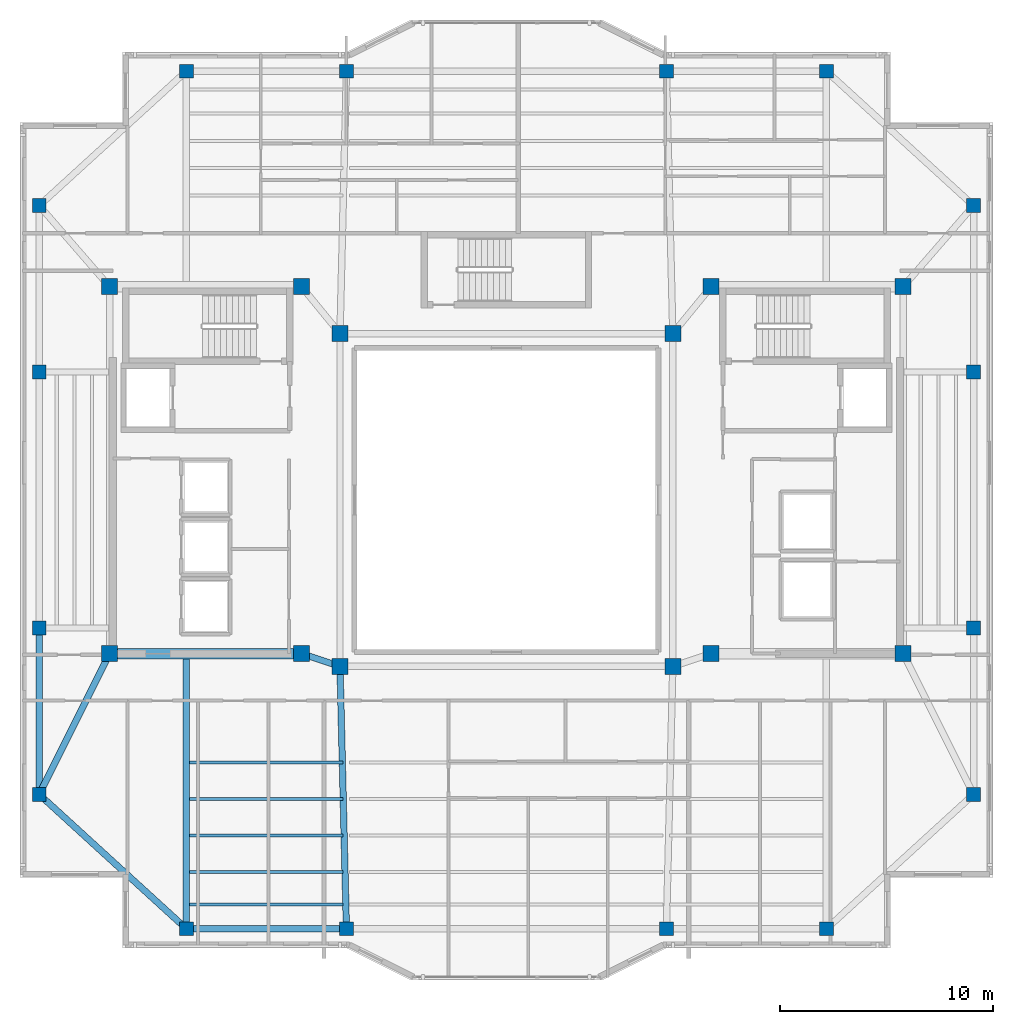
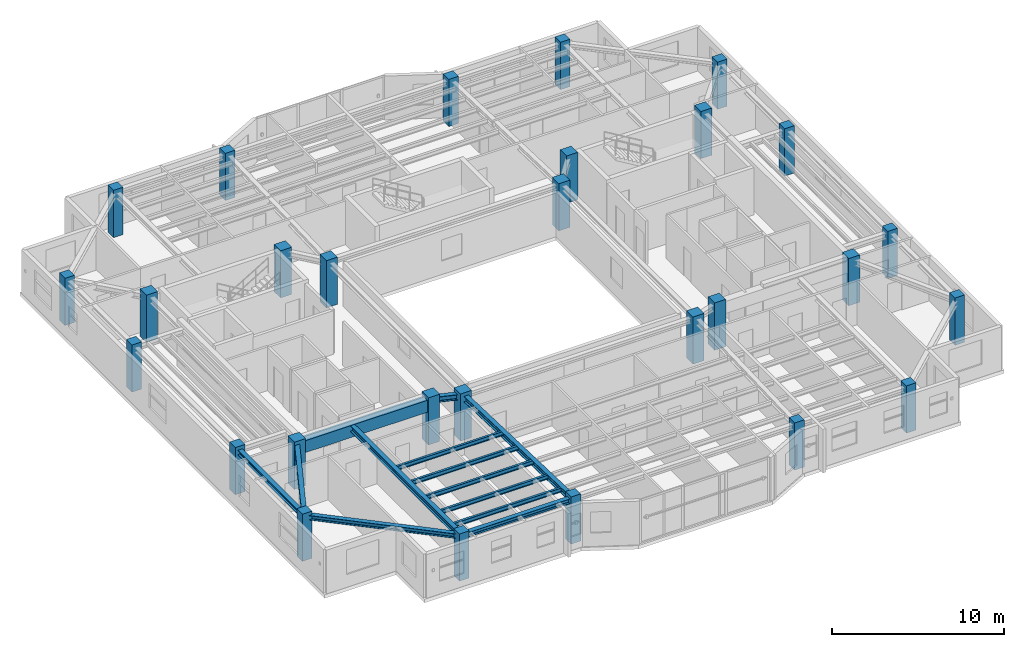
# One storey, part 1 of 13: 28 columns, 13 beams.
"""IFC4 building model written with IfcOpenShell, lengths in metres."""

import ifcopenshell
import ifcopenshell.guid

model = None  # the IFC model being written
_history = None  # IfcOwnerHistory: only IFC2X3 demands one
_inside = {}  # id of a spatial element -> (the spatial element, [elements in it])
_under = {}  # id of a project, library or spatial element -> (it, [spatial elements below it])
_declared = {}  # id of a project -> (the project, [libraries it declares])
_typed = {}  # id of a type object -> (the type object, [elements of that type])
_made_of = {}  # id of a material, layer set ... -> (it, [elements and type objects made of it])


def new_model(schema):
    """Start an empty IFC model of exactly this schema.

    Asked for "IFC4X3", IfcOpenShell would pick the latest addendum, in which some entities
    have other attributes; the version numbers below select the first issue.
    IFC2X3 requires an IfcOwnerHistory on every rooted entity: one is made here for all.
    """
    global model, _history
    if schema == "IFC4X3":
        model = ifcopenshell.file(schema_version=(4, 3, 0, 0))
    else:
        model = ifcopenshell.file(schema=schema)
    _inside.clear()
    _under.clear()
    _declared.clear()
    _typed.clear()
    _made_of.clear()
    _history = None
    if model.schema == "IFC2X3":
        org = make("IfcOrganization", Name="unknown")
        user = make(
            "IfcPersonAndOrganization",
            ThePerson=make("IfcPerson", FamilyName="unknown"),
            TheOrganization=org,
        )
        app = make(
            "IfcApplication",
            ApplicationDeveloper=org,
            Version="unknown",
            ApplicationFullName="unknown",
            ApplicationIdentifier="unknown",
        )
        _history = make(
            "IfcOwnerHistory",
            OwningUser=user,
            OwningApplication=app,
            ChangeAction="ADDED",
            CreationDate=0,
        )
    return model


def make(cls, **values):
    """One entity of the class cls with the attributes given. An attribute that is None is left unset."""
    return model.create_entity(
        cls, **{name: value for name, value in values.items() if value is not None}
    )


def rooted(cls, **values):
    """An entity with a GlobalId (a new one), such as an element, a storey or a relation."""
    return make(cls, GlobalId=ifcopenshell.guid.new(), OwnerHistory=_history, **values)


def si_unit(unit_type, name, prefix=None):
    """IfcSIUnit, for example si_unit("LENGTHUNIT", "METRE", prefix="MILLI")."""
    return make("IfcSIUnit", UnitType=unit_type, Prefix=prefix, Name=name)


def assignment(units):
    """IfcUnitAssignment: the units of a project."""
    return None if units is None else make("IfcUnitAssignment", Units=units)


def point(xyz):
    """IfcCartesianPoint."""
    return None if xyz is None else make("IfcCartesianPoint", Coordinates=xyz)


def direction(xyz):
    """IfcDirection."""
    return None if xyz is None else make("IfcDirection", DirectionRatios=xyz)


def frame(location, z_axis=None, x_axis=None):
    """IfcAxis2Placement3D, a coordinate frame: its origin and axes. An axis left out is left unset."""
    return make(
        "IfcAxis2Placement3D",
        Location=point(location),
        Axis=direction(z_axis),
        RefDirection=direction(x_axis),
    )


def frame_2d(location, x_axis=None):
    """IfcAxis2Placement2D, a coordinate frame in the plane: its origin and x axis."""
    return make(
        "IfcAxis2Placement2D", Location=point(location), RefDirection=direction(x_axis)
    )


def origin():
    """The frame at (0, 0, 0) with its axes left unset."""
    return frame((0.0, 0.0, 0.0))


def origin_2d():
    """The frame at (0, 0) in the plane with its x axis left unset."""
    return frame_2d((0.0, 0.0))


def place(relative_to, where):
    """IfcLocalPlacement: puts the frame where relative to a parent placement (None: the world)."""
    return make(
        "IfcLocalPlacement", PlacementRelTo=relative_to, RelativePlacement=where
    )


def context(
    kind, dimensions, precision=None, world=None, true_north=None, identifier=None
):
    """IfcGeometricRepresentationContext, for example the 3D "Model" context."""
    return make(
        "IfcGeometricRepresentationContext",
        ContextIdentifier=identifier,
        ContextType=kind,
        CoordinateSpaceDimension=dimensions,
        Precision=precision,
        WorldCoordinateSystem=world,
        TrueNorth=true_north,
    )


def subcontext(parent, identifier, kind, view, scale=None):
    """IfcGeometricRepresentationSubContext, for example "Body" below "Model"."""
    return make(
        "IfcGeometricRepresentationSubContext",
        ContextIdentifier=identifier,
        ContextType=kind,
        ParentContext=parent,
        TargetScale=scale,
        TargetView=view,
    )


def project(units=None, contexts=None):
    """IfcProject with its units and contexts."""
    return rooted(
        "IfcProject",
        Name="project",
        RepresentationContexts=contexts,
        UnitsInContext=assignment(units),
    )


def spatial(cls, under=None, at=None, **own):
    """A site, building, storey or space (cls), placed at a placement, below another one or the project."""
    s = rooted(cls, ObjectPlacement=at, **own)
    if under is not None:
        _under.setdefault(under.id(), (under, []))[1].append(s)
    return s


def profile(cls, at=None, kind="AREA", **sizes):
    """A parametric profile (cls). Its sizes go by their IFC names, for example OverallWidth=200.0."""
    return make(cls, ProfileType=kind, Position=at, **sizes)


def rectangle(**sizes):
    """IfcRectangleProfileDef."""
    return profile("IfcRectangleProfileDef", **sizes)


def i_section(**sizes):
    """IfcIShapeProfileDef."""
    return profile("IfcIShapeProfileDef", **sizes)


def extrude(swept, where, along, depth):
    """IfcExtrudedAreaSolid: the profile swept, set in the frame where, extruded along a direction by depth."""
    return make(
        "IfcExtrudedAreaSolid",
        SweptArea=swept,
        Position=where,
        ExtrudedDirection=direction(along),
        Depth=depth,
    )


def shape(context_of_items, identifier, shape_type, items):
    """IfcShapeRepresentation: the items that make up one representation, for example the "Body"."""
    return make(
        "IfcShapeRepresentation",
        ContextOfItems=context_of_items,
        RepresentationIdentifier=identifier,
        RepresentationType=shape_type,
        Items=items,
    )


def material(Name=None, Category=None):
    """IfcMaterial."""
    return make("IfcMaterial", Name=Name, Category=Category)


def material_profile(
    of_material, cross_section, Name=None, Category=None, Priority=None
):
    """IfcMaterialProfile: a cross section and its material."""
    return make(
        "IfcMaterialProfile",
        Name=Name,
        Material=of_material,
        Profile=cross_section,
        Priority=Priority,
        Category=Category,
    )


def profile_set(profiles, Name=None, composite=None):
    """IfcMaterialProfileSet."""
    return make(
        "IfcMaterialProfileSet",
        Name=Name,
        MaterialProfiles=profiles,
        CompositeProfile=composite,
    )


def made_of(thing, what):
    """Note that an element or type object is made of a material, layer set ...; save() writes the relation."""
    if what is not None:
        _made_of.setdefault(what.id(), (what, []))[1].append(thing)
    return thing


def type_object(cls, material=None, **own):
    """A type object (cls), such as IfcWallType, which elements share."""
    return made_of(rooted(cls, **own), material)


def element(
    cls,
    number,
    at=None,
    inside=None,
    cuts=None,
    type_object=None,
    material=None,
    context=None,
    identifier="Body",
    shape_type=None,
    held_by="IfcProductDefinitionShape",
    body=None,
    shapes=None,
    **own,
):
    """One element of the class cls, such as IfcWall. Its Tag is "e" and its number.

    at: its placement. inside: the storey or other place that contains it. cuts: it is an
    opening in that element (IfcRelVoidsElement). A single representation is given by context,
    identifier, shape_type and body (its items); several are given by shapes. held_by: the class
    of the entity that holds the representations. save() writes the other relations.
    """
    e = rooted(cls, Tag="e%d" % number, ObjectPlacement=at, **own)
    if body is not None:
        shapes = [shape(context, identifier, shape_type, body)]
    if shapes is not None:
        e.Representation = make(held_by, Representations=shapes)
    if inside is not None:
        _inside.setdefault(inside.id(), (inside, []))[1].append(e)
    if cuts is not None:
        rooted(
            "IfcRelVoidsElement", RelatingBuildingElement=cuts, RelatedOpeningElement=e
        )
    if type_object is not None:
        _typed.setdefault(type_object.id(), (type_object, []))[1].append(e)
    return made_of(e, material)


def aggregate(whole, parts):
    """IfcRelAggregates: a whole, such as a stair, and the parts it consists of."""
    return rooted("IfcRelAggregates", RelatingObject=whole, RelatedObjects=parts)


def save(model, path):
    """Write the relations noted so far, then the file.

    IfcRelAggregates (storeys below a building ...), IfcRelContainedInSpatialStructure (elements
    in a storey), IfcRelDefinesByType, IfcRelAssociatesMaterial and IfcRelDeclares: one each for
    every whole, place, type object, material and project.
    """
    for whole, parts in _under.values():
        aggregate(whole, parts)
    for where, things in _inside.values():
        rooted(
            "IfcRelContainedInSpatialStructure",
            RelatedElements=things,
            RelatingStructure=where,
        )
    for kind, things in _typed.values():
        rooted("IfcRelDefinesByType", RelatedObjects=things, RelatingType=kind)
    for what, things in _made_of.values():
        rooted("IfcRelAssociatesMaterial", RelatedObjects=things, RelatingMaterial=what)
    for by, libraries in _declared.values():
        rooted("IfcRelDeclares", RelatingContext=by, RelatedDefinitions=libraries)
    model.write(path)


model = new_model("IFC4")

# Units and contexts
model_context = context("Model", 3, precision=1e-05, world=origin(), true_north=direction((0.0, 1.0)))
body_context = subcontext(model_context, "Body", "Model", "MODEL_VIEW")
ifc_project = project(units=[si_unit("LENGTHUNIT", "METRE"), si_unit("AREAUNIT", "SQUARE_METRE"), si_unit("VOLUMEUNIT", "CUBIC_METRE"), si_unit("PLANEANGLEUNIT", "RADIAN"), si_unit("MASSUNIT", "GRAM", prefix="KILO")], contexts=[model_context])

# Site, building, storey
site_placement = place(None, origin())
site = spatial("IfcSite", under=ifc_project, at=site_placement, CompositionType="ELEMENT")
building_placement = place(site_placement, origin())
building = spatial("IfcBuilding", under=site, at=building_placement, Name="Tarnavaz Court Tower", CompositionType="ELEMENT")
storey_placement = place(building_placement, frame((0.0, 0.0, 248.199951171875)))
storey = spatial("IfcBuildingStorey", under=building, at=storey_placement, Name="L67", CompositionType="ELEMENT", Elevation=248.199951171875)

# Columns
ifc_material_1 = material(Name="Concrete C50/60", Category="concrete")
ifc_material_profile_1 = material_profile(ifc_material_1, rectangle(XDim=0.64990234375, YDim=0.64990234375, at=origin_2d()), Name="RC 650X650")
ifc_profile_set_1 = profile_set([ifc_material_profile_1], Name="Concrete C50/60")
column_type_1 = type_object("IfcColumnType", Name="CL-RC650", PredefinedType="COLUMN", material=ifc_profile_set_1)
for number, where, z_axis, x_axis, name in (
    (1, (-15.0, 20.10009765625, 0.0), (0.0, 0.0, 1.0), (1.0, 0.0, 0.0), "L67 Column PN-1"),
    (2, (-7.5, 20.10009765625, 0.0), (0.0, 0.0, 1.0), (1.0, 0.0, 0.0), "L67 Column PN-2"),
    (3, (7.5, 20.10009765625, 0.0), (0.0, 0.0, 1.0), (1.0, 0.0, 0.0), "L67 Column PN-3"),
    (4, (15.0, 20.10009765625, 0.0), (0.0, 0.0, 1.0), (1.0, 0.0, 0.0), "L67 Column PN-4"),
    (5, (-15.0, -20.10009765625, 0.0), (0.0, 0.0, 1.0), (1.0, 0.0, 0.0), "L67 Column PS-1"),
    (6, (-7.5, -20.10009765625, 0.0), (0.0, 0.0, 1.0), (1.0, 0.0, 0.0), "L67 Column PS-2"),
    (7, (7.5, -20.10009765625, 0.0), (0.0, 0.0, 1.0), (1.0, 0.0, 0.0), "L67 Column PS-3"),
    (8, (15.0, -20.10009765625, 0.0), (0.0, 0.0, 1.0), (1.0, 0.0, 0.0), "L67 Column PS-4"),
    (9, (21.89990234375, -13.800048828125, 0.0), (0.0, 0.0, 1.0), (1.0, 0.0, 0.0), "L67 Column PE-1"),
    (10, (21.89990234375, -6.0, 0.0), (0.0, 0.0, 1.0), (1.0, 0.0, 0.0), "L67 Column PE-2"),
    (11, (21.89990234375, 6.0, 0.0), (0.0, 0.0, 1.0), (1.0, 0.0, 0.0), "L67 Column PE-3"),
    (12, (21.89990234375, 13.800048828125, 0.0), (0.0, 0.0, 1.0), (1.0, 0.0, 0.0), "L67 Column PE-4"),
    (13, (-21.89990234375, -13.800048828125, 0.0), (0.0, 0.0, 1.0), (1.0, 0.0, 0.0), "L67 Column PW-1"),
    (14, (-21.89990234375, -6.0, 0.0), (0.0, 0.0, 1.0), (1.0, 0.0, 0.0), "L67 Column PW-2"),
    (15, (-21.89990234375, 6.0, 0.0), (0.0, 0.0, 1.0), (1.0, 0.0, 0.0), "L67 Column PW-3"),
    (16, (-21.89990234375, 13.800048828125, 0.0), (0.0, 0.0, 1.0), (1.0, 0.0, 0.0), "L67 Column PW-4"),
):
    element("IfcColumn", number, at=place(storey_placement, frame(where, z_axis=z_axis, x_axis=x_axis)), inside=storey, type_object=column_type_1, Name=name, PredefinedType="COLUMN", context=body_context, shape_type="SweptSolid", body=[
        extrude(rectangle(XDim=0.64990234375, YDim=0.64990234375, at=origin_2d()), origin(), (0.0, 0.0, 1.0), 3.35009765625),
    ])
ifc_material_profile_2 = material_profile(ifc_material_1, rectangle(XDim=0.75, YDim=0.75, at=origin_2d()), Name="RC 750X750")
ifc_profile_set_2 = profile_set([ifc_material_profile_2], Name="Concrete C50/60")
column_type_2 = type_object("IfcColumnType", Name="CL-RC750", PredefinedType="COLUMN", material=ifc_profile_set_2)
for number, where, z_axis, x_axis, name in (
    (17, (-7.800048828125, -7.800048828125, 0.0), (0.0, 0.0, 1.0), (1.0, 0.0, 0.0), "L67 Column IW-SW"),
    (18, (7.800048828125, -7.800048828125, 0.0), (0.0, 0.0, 1.0), (1.0, 0.0, 0.0), "L67 Column IW-SE"),
    (19, (-7.800048828125, 7.800048828125, 0.0), (0.0, 0.0, 1.0), (1.0, 0.0, 0.0), "L67 Column IW-NW"),
    (20, (7.800048828125, 7.800048828125, 0.0), (0.0, 0.0, 1.0), (1.0, 0.0, 0.0), "L67 Column IW-NE"),
    (21, (-9.60009765625, -7.199951171875, 0.0), (0.0, 0.0, 1.0), (1.0, 0.0, 0.0), "L67 Column CW-SI"),
    (22, (-9.60009765625, 10.0, 0.0), (0.0, 0.0, 1.0), (1.0, 0.0, 0.0), "L67 Column CW-NI"),
    (23, (9.60009765625, -7.199951171875, 0.0), (0.0, 0.0, 1.0), (1.0, 0.0, 0.0), "L67 Column CE-SI"),
    (24, (9.60009765625, 10.0, 0.0), (0.0, 0.0, 1.0), (1.0, 0.0, 0.0), "L67 Column CE-NI"),
    (25, (-18.60009765625, -7.199951171875, 0.0), (0.0, 0.0, 1.0), (1.0, 0.0, 0.0), "L67 Column CW-SO"),
    (26, (-18.60009765625, 10.0, 0.0), (0.0, 0.0, 1.0), (1.0, 0.0, 0.0), "L67 Column CW-NO"),
    (27, (18.60009765625, -7.199951171875, 0.0), (0.0, 0.0, 1.0), (1.0, 0.0, 0.0), "L67 Column CE-SO"),
    (28, (18.60009765625, 10.0, 0.0), (0.0, 0.0, 1.0), (1.0, 0.0, 0.0), "L67 Column CE-NO"),
):
    element("IfcColumn", number, at=place(storey_placement, frame(where, z_axis=z_axis, x_axis=x_axis)), inside=storey, type_object=column_type_2, Name=name, PredefinedType="COLUMN", context=body_context, shape_type="SweptSolid", body=[
        extrude(rectangle(XDim=0.75, YDim=0.75, at=origin_2d()), origin(), (0.0, 0.0, 1.0), 3.35009765625),
    ])

# Beams
ifc_material_profile_3 = material_profile(ifc_material_1, rectangle(XDim=0.5, YDim=0.85009765625, at=origin_2d()), Name="RC 500X850")
ifc_profile_set_3 = profile_set([ifc_material_profile_3], Name="Concrete C50/60")
beam_type_1 = type_object("IfcBeamType", Name="BM-CB850", PredefinedType="LINTEL", material=ifc_profile_set_3)
beam_1_placement = place(storey_placement, frame((-18.3798828125, -7.199951171875, 2.675048828125), z_axis=(1.0, 0.0, 0.0), x_axis=(0.0, 1.0, 0.0)))
element("IfcBeam", 29, at=beam_1_placement, inside=storey, type_object=beam_type_1, Name="L67 Beam IN-CW-SO-CW-SI", PredefinedType="LINTEL", context=body_context, shape_type="SweptSolid", body=[
    extrude(rectangle(XDim=0.5, YDim=0.85009765625, at=origin_2d()), origin(), (0.0, 0.0, 1.0), 8.559814453125),
])
ifc_material_2 = material(Name="Steel S355", Category="steel")
ifc_material_profile_4 = material_profile(ifc_material_2, i_section(OverallWidth=0.300048828125, OverallDepth=0.39990234375, WebThickness=0.013427734375, FlangeThickness=0.02392578125, FilletRadius=0.027099609375, at=origin_2d()), Name="HEB 400")
ifc_profile_set_4 = profile_set([ifc_material_profile_4], Name="Steel S355")
beam_type_2 = type_object("IfcBeamType", Name="BM-G-HEB400", PredefinedType="USERDEFINED", material=ifc_profile_set_4)
beam_2_placement = place(storey_placement, frame((-9.391357421875, -7.26953125, 2.900146484375), z_axis=(0.948666544706, -0.316278021615, 0.0), x_axis=(0.316278021615, 0.948666544706, 0.0)))
element("IfcBeam", 30, at=beam_2_placement, inside=storey, type_object=beam_type_2, Name="L67 Beam IN-CW-SI-IW-SW", ObjectType="GIRDER", PredefinedType="USERDEFINED", context=body_context, shape_type="SweptSolid", body=[
    extrude(i_section(OverallWidth=0.300048828125, OverallDepth=0.39990234375, WebThickness=0.013427734375, FlangeThickness=0.02392578125, FilletRadius=0.027099609375, at=origin_2d()), origin(), (0.0, 0.0, 1.0), 1.457275390625),
])
beam_3_placement = place(storey_placement, frame((-15.0, -7.239990234375, 2.900146484375), z_axis=(0.0, -1.0, 0.0), x_axis=(1.0, 0.0, 0.0)))
element("IfcBeam", 31, at=beam_3_placement, inside=storey, type_object=beam_type_2, Name="L67 Beam RG-05", ObjectType="GIRDER", PredefinedType="USERDEFINED", context=body_context, shape_type="SweptSolid", body=[
    extrude(i_section(OverallWidth=0.300048828125, OverallDepth=0.39990234375, WebThickness=0.013427734375, FlangeThickness=0.02392578125, FilletRadius=0.027099609375, at=origin_2d()), origin(), (0.0, 0.0, 1.0), 12.639892578125),
])
beam_4_placement = place(storey_placement, frame((-7.794677734375, -8.02001953125, 2.900146484375), z_axis=(0.024386002211, -0.99970261723, 0.0), x_axis=(0.99970261723, 0.024386002211, 0.0)))
element("IfcBeam", 32, at=beam_4_placement, inside=storey, type_object=beam_type_2, Name="L67 Beam RG-06", ObjectType="GIRDER", PredefinedType="USERDEFINED", context=body_context, shape_type="SweptSolid", body=[
    extrude(i_section(OverallWidth=0.300048828125, OverallDepth=0.39990234375, WebThickness=0.013427734375, FlangeThickness=0.02392578125, FilletRadius=0.027099609375, at=origin_2d()), origin(), (0.0, 0.0, 1.0), 11.863525390625),
])
beam_5_placement = place(storey_placement, frame((-18.698486328125, -7.396728515625, 2.900146484375), z_axis=(-0.447185448279, -0.894441264057, 0.0), x_axis=(0.894441264057, -0.447185448279, 0.0)))
element("IfcBeam", 33, at=beam_5_placement, inside=storey, type_object=beam_type_2, Name="L67 Beam RG-15", ObjectType="GIRDER", PredefinedType="USERDEFINED", context=body_context, shape_type="SweptSolid", body=[
    extrude(i_section(OverallWidth=0.300048828125, OverallDepth=0.39990234375, WebThickness=0.013427734375, FlangeThickness=0.02392578125, FilletRadius=0.027099609375, at=origin_2d()), origin(), (0.0, 0.0, 1.0), 6.93896484375),
])
ifc_material_profile_5 = material_profile(ifc_material_2, i_section(OverallWidth=0.14990234375, OverallDepth=0.300048828125, WebThickness=0.007080078125, FlangeThickness=0.0107421875, FilletRadius=0.014892578125, at=origin_2d()), Name="IPE 300")
ifc_profile_set_5 = profile_set([ifc_material_profile_5], Name="Steel S355")
beam_type_3 = type_object("IfcBeamType", Name="BM-J-IPE300", PredefinedType="JOIST", material=ifc_profile_set_5)
for number, where, z_axis, x_axis, name in (
    (34, (-14.85009765625, -12.31005859375, 2.949951171875), (1.0, 0.0, 0.0), (0.0, 1.0, 0.0), "L67 Beam JS1-1"),
    (35, (-14.85009765625, -14.02001953125, 2.949951171875), (1.0, 0.0, 0.0), (0.0, 1.0, 0.0), "L67 Beam JS2-1"),
    (36, (-14.85009765625, -15.72998046875, 2.949951171875), (1.0, 0.0, 0.0), (0.0, 1.0, 0.0), "L67 Beam JS3-1"),
    (37, (-14.85009765625, -17.43994140625, 2.949951171875), (1.0, 0.0, 0.0), (0.0, 1.0, 0.0), "L67 Beam JS4-1"),
    (38, (-14.85009765625, -18.9599609375, 2.949951171875), (1.0, 0.0, 0.0), (0.0, 1.0, 0.0), "L67 Beam JS5-1"),
):
    element("IfcBeam", number, at=place(storey_placement, frame(where, z_axis=z_axis, x_axis=x_axis)), inside=storey, type_object=beam_type_3, Name=name, PredefinedType="JOIST", context=body_context, shape_type="SweptSolid", body=[
        extrude(i_section(OverallWidth=0.14990234375, OverallDepth=0.300048828125, WebThickness=0.007080078125, FlangeThickness=0.0107421875, FilletRadius=0.014892578125, at=origin_2d()), origin(), (0.0, 0.0, 1.0), 7.2001953125),
    ])
ifc_material_profile_6 = material_profile(ifc_material_2, i_section(OverallWidth=0.300048828125, OverallDepth=0.330078125, WebThickness=0.009521484375, FlangeThickness=0.0166015625, FilletRadius=0.027099609375, at=origin_2d()), Name="HEA 340")
ifc_profile_set_6 = profile_set([ifc_material_profile_6], Name="Steel S355")
beam_type_4 = type_object("IfcBeamType", Name="BM-SP-HEA340", PredefinedType="BEAM", material=ifc_profile_set_6)
beam_6_placement = place(storey_placement, frame((-14.780029296875, -20.10009765625, 2.93505859375), z_axis=(1.0, 0.0, 0.0), x_axis=(0.0, 1.0, 0.0)))
element("IfcBeam", 39, at=beam_6_placement, inside=storey, type_object=beam_type_4, Name="L67 Beam PR-PS-1-PS-2", PredefinedType="BEAM", context=body_context, shape_type="SweptSolid", body=[
    extrude(i_section(OverallWidth=0.300048828125, OverallDepth=0.330078125, WebThickness=0.009521484375, FlangeThickness=0.0166015625, FilletRadius=0.027099609375, at=origin_2d()), origin(), (0.0, 0.0, 1.0), 7.06005859375),
])
beam_7_placement = place(storey_placement, frame((-21.89990234375, -13.580078125, 2.93505859375), z_axis=(0.0, 1.0, 0.0), x_axis=(-1.0, 0.0, 0.0)))
element("IfcBeam", 40, at=beam_7_placement, inside=storey, type_object=beam_type_4, Name="L67 Beam PR-PW-1-PW-2", PredefinedType="BEAM", context=body_context, shape_type="SweptSolid", body=[
    extrude(i_section(OverallWidth=0.300048828125, OverallDepth=0.330078125, WebThickness=0.009521484375, FlangeThickness=0.0166015625, FilletRadius=0.027099609375, at=origin_2d()), origin(), (0.0, 0.0, 1.0), 7.360107421875),
])
beam_8_placement = place(storey_placement, frame((-15.16259765625, -19.95166015625, 2.93505859375), z_axis=(-0.738474214476, 0.674281717499, 0.0), x_axis=(-0.674281717499, -0.738474214476, 0.0)))
element("IfcBeam", 41, at=beam_8_placement, inside=storey, type_object=beam_type_4, Name="L67 Beam PR-PS-1-PW-1", PredefinedType="BEAM", context=body_context, shape_type="SweptSolid", body=[
    extrude(i_section(OverallWidth=0.300048828125, OverallDepth=0.330078125, WebThickness=0.009521484375, FlangeThickness=0.0166015625, FilletRadius=0.027099609375, at=origin_2d()), origin(), (0.0, 0.0, 1.0), 8.9033203125),
])

save(model, "model.ifc")
